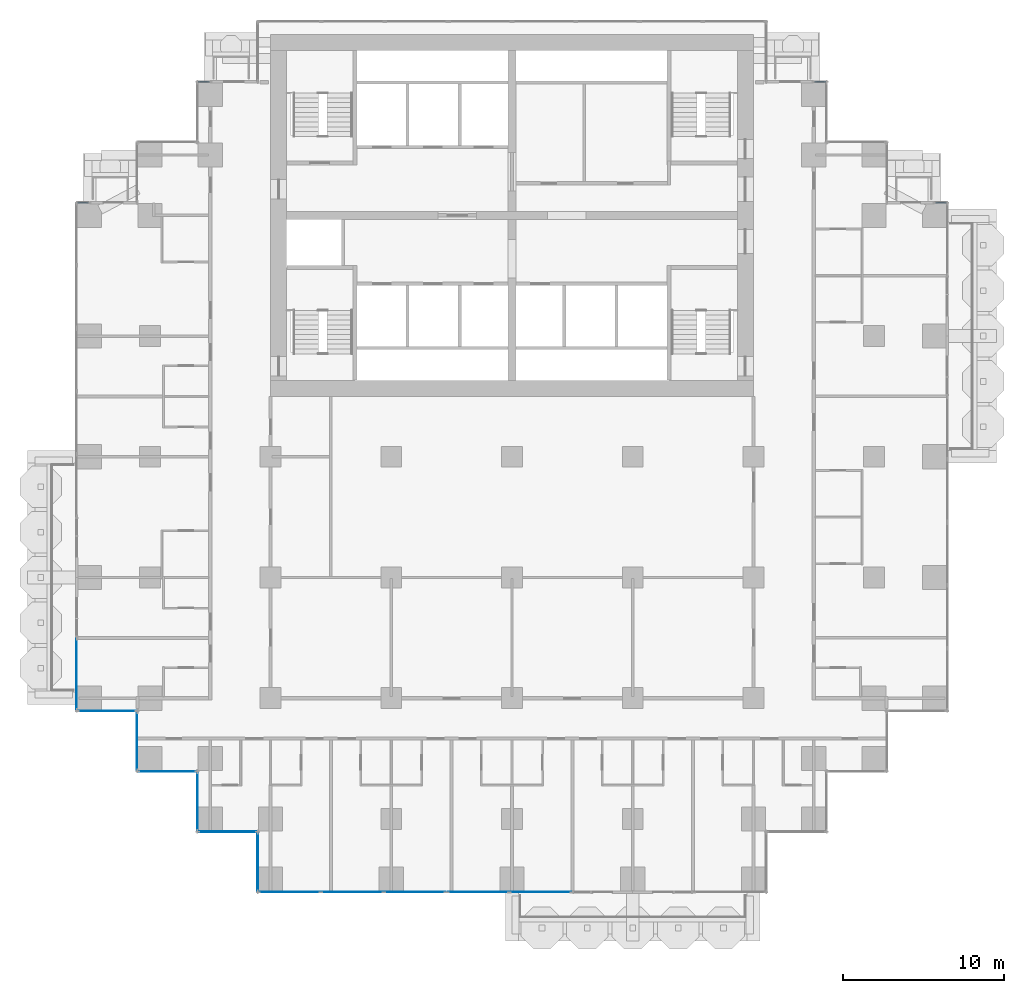
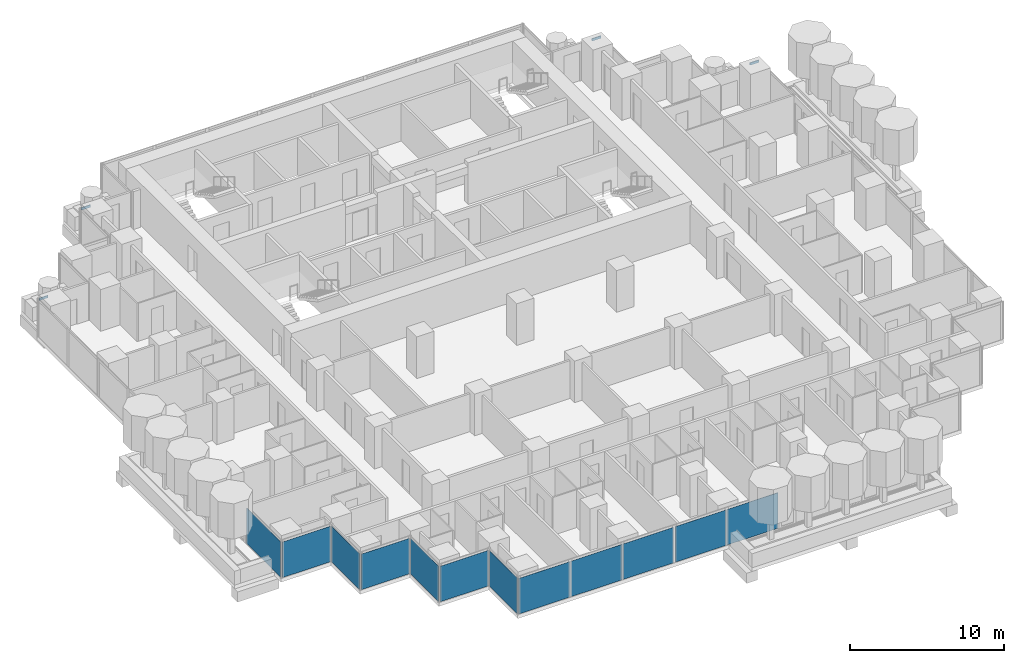
# One storey, part 7 of 19: 12 plates, 4 members, 13 elements without a shape of their own.
"""IFC4 building model written with IfcOpenShell, lengths in metres."""

from ifc_helpers import new_model, si_unit, direction, frame, origin, origin_2d, place, context, subcontext, project, spatial, rectangle, extrude, material, layer, layer_set, material_profile, profile_set, type_object, element, aggregate, save


model = new_model("IFC4")

# Units and contexts
model_context = context("Model", 3, precision=1e-05, world=origin(), true_north=direction((0.0, 1.0)))
body_context = subcontext(model_context, "Body", "Model", "MODEL_VIEW")
ifc_project = project(units=[si_unit("LENGTHUNIT", "METRE"), si_unit("AREAUNIT", "SQUARE_METRE"), si_unit("VOLUMEUNIT", "CUBIC_METRE"), si_unit("PLANEANGLEUNIT", "RADIAN"), si_unit("MASSUNIT", "GRAM", prefix="KILO")], contexts=[model_context])

# Site, building, storey
site_placement = place(None, origin())
site = spatial("IfcSite", under=ifc_project, at=site_placement, CompositionType="ELEMENT")
building_placement = place(site_placement, origin())
building = spatial("IfcBuilding", under=site, at=building_placement, Name="Pilkhan Gate Tower", CompositionType="ELEMENT")
storey_placement = place(building_placement, frame((0.0, 0.0, 65.89990234375)))
storey = spatial("IfcBuildingStorey", under=building, at=storey_placement, Name="L14", CompositionType="ELEMENT", Elevation=65.89990234375)

# Curtain wall, member
ifc_material_1 = material(Name="Pale anodised aluminium, clear low-iron double glazing", Category="aluminium")
curtain_wall_type = type_object("IfcCurtainWallType", Name="Hotel unitised curtain wall CW-H", PredefinedType="USERDEFINED", material=ifc_material_1)
curtain_wall_1_placement = place(storey_placement, origin())
curtain_wall_1 = element("IfcCurtainWall", 1, at=curtain_wall_1_placement, inside=storey, type_object=curtain_wall_type, Name="Hotel unitised curtain wall CW-H L14 N", ObjectType="UNITISED CURTAIN WALL", PredefinedType="USERDEFINED")
ifc_material_2 = material(Name="Pale anodised aluminium", Category="aluminium")
ifc_material_profile = material_profile(ifc_material_2, rectangle(XDim=0.06494140625, YDim=0.179931640625, at=origin_2d()), Name="Transom 180x65")
ifc_profile_set = profile_set([ifc_material_profile], Name="Pale anodised aluminium")
member_type = type_object("IfcMemberType", Name="Transom CW-H 180x65", PredefinedType="USERDEFINED", material=ifc_profile_set)
member_1_placement = place(storey_placement, frame((101.31494140625, 83.294921875, 2.91015625), z_axis=(1.0, 0.0, 0.0), x_axis=(0.0, 1.0, 0.0)))
member_1 = element("IfcMember", 2, at=member_1_placement, type_object=member_type, Name="CW-H transom 1", ObjectType="TRANSOM", PredefinedType="USERDEFINED", context=body_context, shape_type="SweptSolid", body=[
    extrude(rectangle(XDim=0.06494140625, YDim=0.179931640625, at=origin_2d()), origin(), (0.0, 0.0, 1.0), 0.6650390625),
])
aggregate(curtain_wall_1, [member_1])

curtain_wall_2_placement = place(storey_placement, origin())
curtain_wall_2 = element("IfcCurtainWall", 3, at=curtain_wall_2_placement, inside=storey, type_object=curtain_wall_type, Name="Hotel unitised curtain wall CW-H L14 N", ObjectType="UNITISED CURTAIN WALL", PredefinedType="USERDEFINED")
member_2_placement = place(storey_placement, frame((93.81494140625, 90.794921875, 2.91015625), z_axis=(1.0, 0.0, 0.0), x_axis=(0.0, 1.0, 0.0)))
member_2 = element("IfcMember", 4, at=member_2_placement, type_object=member_type, Name="CW-H transom 1", ObjectType="TRANSOM", PredefinedType="USERDEFINED", context=body_context, shape_type="SweptSolid", body=[
    extrude(rectangle(XDim=0.06494140625, YDim=0.179931640625, at=origin_2d()), origin(), (0.0, 0.0, 1.0), 0.6650390625),
])
aggregate(curtain_wall_2, [member_2])

curtain_wall_3_placement = place(storey_placement, origin())
curtain_wall_3 = element("IfcCurtainWall", 5, at=curtain_wall_3_placement, inside=storey, type_object=curtain_wall_type, Name="Hotel unitised curtain wall CW-H L14 N", ObjectType="UNITISED CURTAIN WALL", PredefinedType="USERDEFINED")
member_3_placement = place(storey_placement, frame((55.52001953125, 90.794921875, 2.91015625), z_axis=(1.0, 0.0, 0.0), x_axis=(0.0, 1.0, 0.0)))
member_3 = element("IfcMember", 6, at=member_3_placement, type_object=member_type, Name="CW-H transom 1", ObjectType="TRANSOM", PredefinedType="USERDEFINED", context=body_context, shape_type="SweptSolid", body=[
    extrude(rectangle(XDim=0.06494140625, YDim=0.179931640625, at=origin_2d()), origin(), (0.0, 0.0, 1.0), 0.6650390625),
])
aggregate(curtain_wall_3, [member_3])

curtain_wall_4_placement = place(storey_placement, origin())
curtain_wall_4 = element("IfcCurtainWall", 7, at=curtain_wall_4_placement, inside=storey, type_object=curtain_wall_type, Name="Hotel unitised curtain wall CW-H L14 N", ObjectType="UNITISED CURTAIN WALL", PredefinedType="USERDEFINED")
member_4_placement = place(storey_placement, frame((48.02001953125, 83.294921875, 2.91015625), z_axis=(1.0, 0.0, 0.0), x_axis=(0.0, 1.0, 0.0)))
member_4 = element("IfcMember", 8, at=member_4_placement, type_object=member_type, Name="CW-H transom 1", ObjectType="TRANSOM", PredefinedType="USERDEFINED", context=body_context, shape_type="SweptSolid", body=[
    extrude(rectangle(XDim=0.06494140625, YDim=0.179931640625, at=origin_2d()), origin(), (0.0, 0.0, 1.0), 0.6650390625),
])
aggregate(curtain_wall_4, [member_4])

# Curtain wall, plate
curtain_wall_5_placement = place(storey_placement, origin())
curtain_wall_5 = element("IfcCurtainWall", 9, at=curtain_wall_5_placement, inside=storey, type_object=curtain_wall_type, Name="Hotel unitised curtain wall CW-H L14 W", ObjectType="UNITISED CURTAIN WALL", PredefinedType="USERDEFINED")
ifc_material_3 = material(Name="Clear low-iron double glazing", Category="glass")
ifc_layer = layer(ifc_material_3, 0.035888671875)
ifc_layer_set = layer_set([ifc_layer], Name="Glass panel CW-H 36")
plate_type = type_object("IfcPlateType", Name="Glass panel CW-H 36", PredefinedType="CURTAIN_PANEL", material=ifc_layer_set)
plate_1_placement = place(storey_placement, frame((47.955078125, 53.9775390625, 0.0), z_axis=(0.0, 0.0, 1.0), x_axis=(0.0, 1.0, 0.0)))
plate_1 = element("IfcPlate", 10, at=plate_1_placement, type_object=plate_type, Name="CW-H panel 1", PredefinedType="CURTAIN_PANEL", context=body_context, shape_type="SweptSolid", body=[
    extrude(rectangle(XDim=4.4150390625, YDim=0.035888671875, at=origin_2d()), origin(), (0.0, 0.0, 1.0), 2.820068359375),
])
aggregate(curtain_wall_5, [plate_1])

curtain_wall_6_placement = place(storey_placement, origin())
curtain_wall_6 = element("IfcCurtainWall", 11, at=curtain_wall_6_placement, inside=storey, type_object=curtain_wall_type, Name="Hotel unitised curtain wall CW-H L14 S", ObjectType="UNITISED CURTAIN WALL", PredefinedType="USERDEFINED")
plate_2_placement = place(storey_placement, frame((49.830078125, 51.705078125, 0.0), z_axis=(0.0, 0.0, 1.0), x_axis=(1.0, 0.0, 0.0)))
plate_2 = element("IfcPlate", 12, at=plate_2_placement, type_object=plate_type, Name="CW-H panel 1", PredefinedType="CURTAIN_PANEL", context=body_context, shape_type="SweptSolid", body=[
    extrude(rectangle(XDim=3.6201171875, YDim=0.035888671875, at=origin_2d()), origin(), (0.0, 0.0, 1.0), 2.820068359375),
])
aggregate(curtain_wall_6, [plate_2])

curtain_wall_7_placement = place(storey_placement, origin())
curtain_wall_7 = element("IfcCurtainWall", 13, at=curtain_wall_7_placement, inside=storey, type_object=curtain_wall_type, Name="Hotel unitised curtain wall CW-H L14 W", ObjectType="UNITISED CURTAIN WALL", PredefinedType="USERDEFINED")
plate_3_placement = place(storey_placement, frame((51.705078125, 49.830078125, 0.0), z_axis=(0.0, 0.0, 1.0), x_axis=(0.0, 1.0, 0.0)))
plate_3 = element("IfcPlate", 14, at=plate_3_placement, type_object=plate_type, Name="CW-H panel 1", PredefinedType="CURTAIN_PANEL", context=body_context, shape_type="SweptSolid", body=[
    extrude(rectangle(XDim=3.6201171875, YDim=0.035888671875, at=origin_2d()), origin(), (0.0, 0.0, 1.0), 2.820068359375),
])
aggregate(curtain_wall_7, [plate_3])

curtain_wall_8_placement = place(storey_placement, origin())
curtain_wall_8 = element("IfcCurtainWall", 15, at=curtain_wall_8_placement, inside=storey, type_object=curtain_wall_type, Name="Hotel unitised curtain wall CW-H L14 S", ObjectType="UNITISED CURTAIN WALL", PredefinedType="USERDEFINED")
plate_4_placement = place(storey_placement, frame((53.580078125, 47.955078125, 0.0), z_axis=(0.0, 0.0, 1.0), x_axis=(1.0, 0.0, 0.0)))
plate_4 = element("IfcPlate", 16, at=plate_4_placement, type_object=plate_type, Name="CW-H panel 1", PredefinedType="CURTAIN_PANEL", context=body_context, shape_type="SweptSolid", body=[
    extrude(rectangle(XDim=3.6201171875, YDim=0.035888671875, at=origin_2d()), origin(), (0.0, 0.0, 1.0), 2.820068359375),
])
aggregate(curtain_wall_8, [plate_4])

curtain_wall_9_placement = place(storey_placement, origin())
curtain_wall_9 = element("IfcCurtainWall", 17, at=curtain_wall_9_placement, inside=storey, type_object=curtain_wall_type, Name="Hotel unitised curtain wall CW-H L14 W", ObjectType="UNITISED CURTAIN WALL", PredefinedType="USERDEFINED")
plate_5_placement = place(storey_placement, frame((55.455078125, 46.080078125, 0.0), z_axis=(0.0, 0.0, 1.0), x_axis=(0.0, 1.0, 0.0)))
plate_5 = element("IfcPlate", 18, at=plate_5_placement, type_object=plate_type, Name="CW-H panel 1", PredefinedType="CURTAIN_PANEL", context=body_context, shape_type="SweptSolid", body=[
    extrude(rectangle(XDim=3.6201171875, YDim=0.035888671875, at=origin_2d()), origin(), (0.0, 0.0, 1.0), 2.820068359375),
])
aggregate(curtain_wall_9, [plate_5])

curtain_wall_10_placement = place(storey_placement, origin())
curtain_wall_10 = element("IfcCurtainWall", 19, at=curtain_wall_10_placement, inside=storey, type_object=curtain_wall_type, Name="Hotel unitised curtain wall CW-H L14 S", ObjectType="UNITISED CURTAIN WALL", PredefinedType="USERDEFINED")
plate_6_placement = place(storey_placement, frame((57.330078125, 44.205078125, 0.0), z_axis=(0.0, 0.0, 1.0), x_axis=(1.0, 0.0, 0.0)))
plate_6 = element("IfcPlate", 20, at=plate_6_placement, type_object=plate_type, Name="CW-H panel 1", PredefinedType="CURTAIN_PANEL", context=body_context, shape_type="SweptSolid", body=[
    extrude(rectangle(XDim=3.6201171875, YDim=0.035888671875, at=origin_2d()), origin(), (0.0, 0.0, 1.0), 2.820068359375),
])
aggregate(curtain_wall_10, [plate_6])

curtain_wall_11_placement = place(storey_placement, origin())
curtain_wall_11 = element("IfcCurtainWall", 21, at=curtain_wall_11_placement, inside=storey, type_object=curtain_wall_type, Name="Hotel unitised curtain wall CW-H L14 W", ObjectType="UNITISED CURTAIN WALL", PredefinedType="USERDEFINED")
plate_7_placement = place(storey_placement, frame((59.205078125, 42.330078125, 0.0), z_axis=(0.0, 0.0, 1.0), x_axis=(0.0, 1.0, 0.0)))
plate_7 = element("IfcPlate", 22, at=plate_7_placement, type_object=plate_type, Name="CW-H panel 1", PredefinedType="CURTAIN_PANEL", context=body_context, shape_type="SweptSolid", body=[
    extrude(rectangle(XDim=3.6201171875, YDim=0.035888671875, at=origin_2d()), origin(), (0.0, 0.0, 1.0), 2.820068359375),
])
aggregate(curtain_wall_11, [plate_7])

# Curtain wall, plates
curtain_wall_12_placement = place(storey_placement, origin())
curtain_wall_12 = element("IfcCurtainWall", 23, at=curtain_wall_12_placement, inside=storey, type_object=curtain_wall_type, Name="Hotel unitised curtain wall CW-H L14 S", ObjectType="UNITISED CURTAIN WALL", PredefinedType="USERDEFINED")
plate_8_placement = place(storey_placement, frame((61.17578125, 40.455078125, 0.0), z_axis=(0.0, 0.0, 1.0), x_axis=(1.0, 0.0, 0.0)))
plate_8 = element("IfcPlate", 24, at=plate_8_placement, type_object=plate_type, Name="CW-H panel 1", PredefinedType="CURTAIN_PANEL", context=body_context, shape_type="SweptSolid", body=[
    extrude(rectangle(XDim=3.8115234375, YDim=0.035888671875, at=origin_2d()), origin(), (0.0, 0.0, 1.0), 2.820068359375),
])
plate_9_placement = place(storey_placement, frame((65.068603515625, 40.455078125, 0.0), z_axis=(0.0, 0.0, 1.0), x_axis=(1.0, 0.0, 0.0)))
plate_9 = element("IfcPlate", 25, at=plate_9_placement, type_object=plate_type, Name="CW-H panel 2", PredefinedType="CURTAIN_PANEL", context=body_context, shape_type="SweptSolid", body=[
    extrude(rectangle(XDim=3.843994140625, YDim=0.035888671875, at=origin_2d()), origin(), (0.0, 0.0, 1.0), 2.820068359375),
])
plate_10_placement = place(storey_placement, frame((68.961181640625, 40.455078125, 0.0), z_axis=(0.0, 0.0, 1.0), x_axis=(1.0, 0.0, 0.0)))
plate_10 = element("IfcPlate", 26, at=plate_10_placement, type_object=plate_type, Name="CW-H panel 3", PredefinedType="CURTAIN_PANEL", context=body_context, shape_type="SweptSolid", body=[
    extrude(rectangle(XDim=3.8115234375, YDim=0.035888671875, at=origin_2d()), origin(), (0.0, 0.0, 1.0), 2.820068359375),
])
aggregate(curtain_wall_12, [plate_8, plate_9, plate_10])

curtain_wall_13_placement = place(storey_placement, origin())
curtain_wall_13 = element("IfcCurtainWall", 27, at=curtain_wall_13_placement, inside=storey, type_object=curtain_wall_type, Name="Hotel unitised curtain wall CW-H L14 S", ObjectType="UNITISED CURTAIN WALL", PredefinedType="USERDEFINED")
plate_11_placement = place(storey_placement, frame((72.90283203125, 40.455078125, 0.0), z_axis=(0.0, 0.0, 1.0), x_axis=(1.0, 0.0, 0.0)))
plate_11 = element("IfcPlate", 28, at=plate_11_placement, type_object=plate_type, Name="CW-H panel 1", PredefinedType="CURTAIN_PANEL", context=body_context, shape_type="SweptSolid", body=[
    extrude(rectangle(XDim=3.8115234375, YDim=0.035888671875, at=origin_2d()), origin(), (0.0, 0.0, 1.0), 2.820068359375),
])
plate_12_placement = place(storey_placement, frame((76.779296875, 40.455078125, 0.0), z_axis=(0.0, 0.0, 1.0), x_axis=(1.0, 0.0, 0.0)))
plate_12 = element("IfcPlate", 29, at=plate_12_placement, type_object=plate_type, Name="CW-H panel 2", PredefinedType="CURTAIN_PANEL", context=body_context, shape_type="SweptSolid", body=[
    extrude(rectangle(XDim=3.8115234375, YDim=0.035888671875, at=origin_2d()), origin(), (0.0, 0.0, 1.0), 2.820068359375),
])
aggregate(curtain_wall_13, [plate_11, plate_12])

save(model, "model.ifc")
